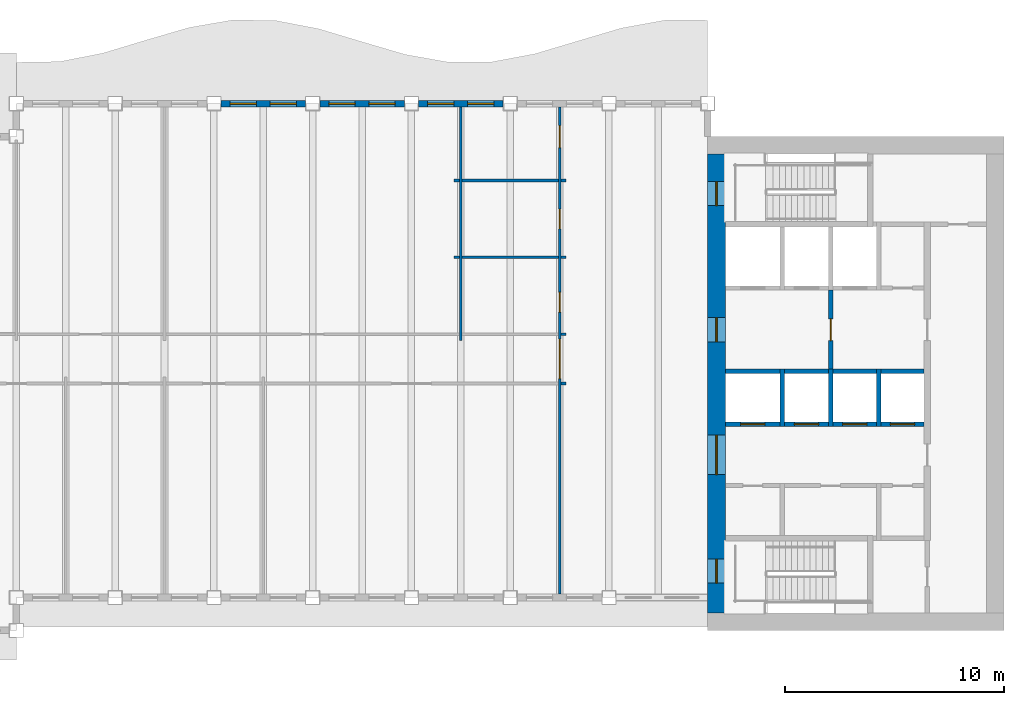
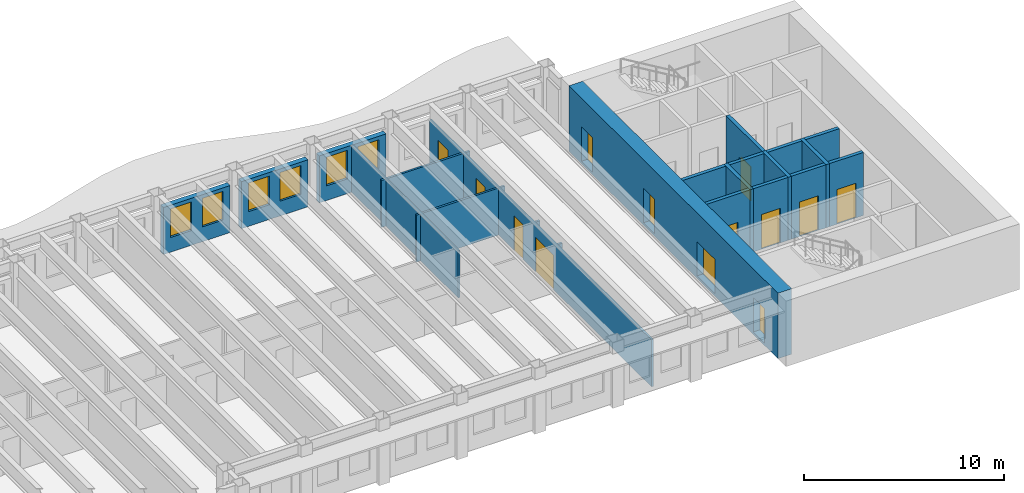
# One storey, part 5 of 12: 26 walls, 13 doors, 6 windows, 19 openings.
"""IFC4 building model written with IfcOpenShell, lengths in metres."""

from ifc_helpers import new_model, si_unit, direction, frame, frame_2d, origin, place, context, subcontext, project, spatial, rectangle, extrude, material, layer, layer_set, type_object, element, fill, save


model = new_model("IFC4")

# Units and contexts
model_context = context("Model", 3, precision=1e-05, world=origin(), true_north=direction((0.0, 1.0)))
body_context = subcontext(model_context, "Body", "Model", "MODEL_VIEW")
ifc_project = project(units=[si_unit("LENGTHUNIT", "METRE"), si_unit("AREAUNIT", "SQUARE_METRE"), si_unit("VOLUMEUNIT", "CUBIC_METRE"), si_unit("PLANEANGLEUNIT", "RADIAN"), si_unit("MASSUNIT", "GRAM", prefix="KILO")], contexts=[model_context])

# Site, building, storey
site_placement = place(None, origin())
site = spatial("IfcSite", under=ifc_project, at=site_placement, CompositionType="ELEMENT")
building_placement = place(site_placement, origin())
building = spatial("IfcBuilding", under=site, at=building_placement, Name="Sennacour Bend Tower", CompositionType="ELEMENT")
storey_placement = place(building_placement, frame((0.0, 0.0, 265.0)))
storey = spatial("IfcBuildingStorey", under=building, at=storey_placement, Name="L61", CompositionType="ELEMENT", Elevation=265.0)

# Wall, openings, doors
ifc_material_1 = material(Name="Concrete C50/60", Category="concrete")
ifc_layer_1 = layer(ifc_material_1, 0.800048828125, Name="Concrete C50/60", Category="concrete")
ifc_layer_set_1 = layer_set([ifc_layer_1], Name="Concrete C50/60")
wall_type_1 = type_object("IfcWallType", Name="Core wall 800 C50/60", PredefinedType="SHEAR", material=ifc_layer_set_1)
wall_1_placement = place(storey_placement, frame((54.39990234375, 0.800048828125, -0.14990234375), z_axis=(0.0, 0.0, 1.0), x_axis=(0.0, 1.0, 0.0)))
wall_1 = element("IfcWall", 1, at=wall_1_placement, inside=storey, type_object=wall_type_1, Name="Core A wall L61 W", PredefinedType="SHEAR", context=body_context, shape_type="SweptSolid", body=[
    extrude(rectangle(XDim=20.89990234375, YDim=0.800048828125, at=frame_2d((10.449951171875, 0.0))), origin(), (0.0, 0.0, 1.0), 4.0),
])
opening_1_placement = place(wall_1_placement, frame((6.300048828125, 0.0, 0.14990234375)))
opening_1 = element("IfcOpeningElement", 2, at=opening_1_placement, cuts=wall_1, Name="Opening CD", PredefinedType="OPENING", context=body_context, shape_type="SweptSolid", body=[
    extrude(rectangle(XDim=1.800048828125, YDim=2.10009765625, at=frame_2d((0.89990234375, 1.050048828125))), frame((0.0, 0.41015625, 0.0), z_axis=(0.0, -1.0, 0.0), x_axis=(1.0, 0.0, 0.0)), (0.0, 0.0, 1.0), 0.820068359375),
])
opening_2_placement = place(wall_1_placement, frame((12.35009765625, 0.0, 0.14990234375)))
opening_2 = element("IfcOpeningElement", 3, at=opening_2_placement, cuts=wall_1, Name="Opening FD", PredefinedType="OPENING", context=body_context, shape_type="SweptSolid", body=[
    extrude(rectangle(XDim=1.10009765625, YDim=2.10009765625, at=frame_2d((0.550048828125, 1.050048828125))), frame((0.0, 0.41015625, 0.0), z_axis=(0.0, -1.0, 0.0), x_axis=(1.0, 0.0, 0.0)), (0.0, 0.0, 1.0), 0.820068359375),
])
opening_3_placement = place(wall_1_placement, frame((1.35009765625, 0.0, 0.14990234375)))
opening_3 = element("IfcOpeningElement", 4, at=opening_3_placement, cuts=wall_1, Name="Opening SD", PredefinedType="OPENING", context=body_context, shape_type="SweptSolid", body=[
    extrude(rectangle(XDim=1.10009765625, YDim=2.10009765625, at=frame_2d((0.550048828125, 1.050048828125))), frame((0.0, 0.41015625, 0.0), z_axis=(0.0, -1.0, 0.0), x_axis=(1.0, 0.0, 0.0)), (0.0, 0.0, 1.0), 0.820068359375),
])
opening_4_placement = place(wall_1_placement, frame((18.550048828125, 0.0, 0.14990234375)))
opening_4 = element("IfcOpeningElement", 5, at=opening_4_placement, cuts=wall_1, Name="Opening SD", PredefinedType="OPENING", context=body_context, shape_type="SweptSolid", body=[
    extrude(rectangle(XDim=1.10009765625, YDim=2.10009765625, at=frame_2d((0.550048828125, 1.050048828125))), frame((0.0, 0.41015625, 0.0), z_axis=(0.0, -1.0, 0.0), x_axis=(1.0, 0.0, 0.0)), (0.0, 0.0, 1.0), 0.820068359375),
])
ifc_material_2 = material(Name="Painted steel", Category="steel")
door_type_1 = type_object("IfcDoorType", Name="DR-FFL-1100", OperationType="NOTDEFINED", PredefinedType="DOOR", material=ifc_material_2)
door_1_placement = place(opening_2_placement, origin())
door_1 = element("IfcDoor", 6, at=door_1_placement, inside=storey, type_object=door_type_1, Name="Door", OperationType="SINGLE_SWING_RIGHT", OverallHeight=2.10009765625, OverallWidth=1.10009765625, PredefinedType="DOOR", context=body_context, shape_type="SweptSolid", body=[
    extrude(rectangle(XDim=1.10009765625, YDim=2.10009765625, at=frame_2d((0.550048828125, 1.050048828125))), frame((0.0, 0.02490234375, 0.0), z_axis=(0.0, -1.0, 0.0), x_axis=(1.0, 0.0, 0.0)), (0.0, 0.0, 1.0), 0.050048828125),
])
fill(opening_2, door_1)
door_type_2 = type_object("IfcDoorType", Name="DR-LOBBY-1800", OperationType="NOTDEFINED", PredefinedType="DOOR", material=ifc_material_2)
door_2_placement = place(opening_1_placement, origin())
door_2 = element("IfcDoor", 7, at=door_2_placement, inside=storey, type_object=door_type_2, Name="Door", OperationType="DOUBLE_DOOR_SINGLE_SWING", OverallHeight=2.10009765625, OverallWidth=1.800048828125, PredefinedType="DOOR", context=body_context, shape_type="SweptSolid", body=[
    extrude(rectangle(XDim=1.800048828125, YDim=2.10009765625, at=frame_2d((0.89990234375, 1.050048828125))), frame((0.0, 0.02490234375, 0.0), z_axis=(0.0, -1.0, 0.0), x_axis=(1.0, 0.0, 0.0)), (0.0, 0.0, 1.0), 0.050048828125),
])
fill(opening_1, door_2)
door_type_3 = type_object("IfcDoorType", Name="DR-STAIR-1100", OperationType="NOTDEFINED", PredefinedType="DOOR", material=ifc_material_2)
door_3_placement = place(opening_3_placement, origin())
door_3 = element("IfcDoor", 8, at=door_3_placement, inside=storey, type_object=door_type_3, Name="Door", OperationType="SINGLE_SWING_LEFT", OverallHeight=2.10009765625, OverallWidth=1.10009765625, PredefinedType="DOOR", context=body_context, shape_type="SweptSolid", body=[
    extrude(rectangle(XDim=1.10009765625, YDim=2.10009765625, at=frame_2d((0.550048828125, 1.050048828125))), frame((0.0, 0.02490234375, 0.0), z_axis=(0.0, -1.0, 0.0), x_axis=(1.0, 0.0, 0.0)), (0.0, 0.0, 1.0), 0.050048828125),
])
fill(opening_3, door_3)
door_4_placement = place(opening_4_placement, origin())
door_4 = element("IfcDoor", 9, at=door_4_placement, inside=storey, type_object=door_type_3, Name="Door", OperationType="SINGLE_SWING_RIGHT", OverallHeight=2.10009765625, OverallWidth=1.10009765625, PredefinedType="DOOR", context=body_context, shape_type="SweptSolid", body=[
    extrude(rectangle(XDim=1.10009765625, YDim=2.10009765625, at=frame_2d((0.550048828125, 1.050048828125))), frame((0.0, 0.02490234375, 0.0), z_axis=(0.0, -1.0, 0.0), x_axis=(1.0, 0.0, 0.0)), (0.0, 0.0, 1.0), 0.050048828125),
])
fill(opening_4, door_4)

# Walls
ifc_material_3 = material(Name="Plasterboard partition on steel studs", Category="steel")
ifc_layer_2 = layer(ifc_material_3, 0.1201171875, Name="Plasterboard partition on steel studs", Category="steel")
ifc_layer_set_2 = layer_set([ifc_layer_2], Name="Plasterboard partition on steel studs")
wall_type_2 = type_object("IfcWallType", Name="Partition 120", PredefinedType="PARTITIONING", material=ifc_layer_set_2)
wall_2_placement = place(storey_placement, frame((42.75, 13.199951171875, 0.0), z_axis=(0.0, 0.0, 1.0), x_axis=(0.0, 1.0, 0.0)))
element("IfcWall", 10, at=wall_2_placement, inside=storey, type_object=wall_type_2, Name="P-L61-W013a", PredefinedType="PARTITIONING", context=body_context, shape_type="SweptSolid", body=[
    extrude(rectangle(XDim=10.650146484375, YDim=0.1201171875, at=frame_2d((5.3251953125, 0.0))), origin(), (0.0, 0.0, 1.0), 2.8701171875),
])
for number, where, z_axis, x_axis, name in (
    (11, (47.31005859375, 11.25, 0.0), (0.0, 0.0, 1.0), (1.0, 0.0, 0.0), "P-L61-W039ag"),
    (12, (47.31005859375, 13.5, 0.0), (0.0, 0.0, 1.0), (1.0, 0.0, 0.0), "P-L61-W041ag"),
    (13, (42.449951171875, 17.0, 0.0), (0.0, 0.0, 1.0), (1.0, 0.0, 0.0), "P-L61-W044aa"),
):
    element("IfcWall", number, at=place(storey_placement, frame(where, z_axis=z_axis, x_axis=x_axis)), inside=storey, type_object=wall_type_2, Name=name, PredefinedType="PARTITIONING", context=body_context, shape_type="SweptSolid", body=[
        extrude(rectangle(XDim=0.239990234375, YDim=0.1201171875, at=frame_2d((0.1201171875, 0.0))), origin(), (0.0, 0.0, 1.0), 2.8701171875),
    ])
wall_3_placement = place(storey_placement, frame((42.81005859375, 17.0, 0.0), z_axis=(0.0, 0.0, 1.0), x_axis=(1.0, 0.0, 0.0)))
element("IfcWall", 14, at=wall_3_placement, inside=storey, type_object=wall_type_2, Name="P-L61-W044ab", PredefinedType="PARTITIONING", context=body_context, shape_type="SweptSolid", body=[
    extrude(rectangle(XDim=4.3798828125, YDim=0.1201171875, at=frame_2d((2.18994140625, 0.0))), origin(), (0.0, 0.0, 1.0), 2.8701171875),
])
for number, where, z_axis, x_axis, name in (
    (15, (47.31005859375, 17.0, 0.0), (0.0, 0.0, 1.0), (1.0, 0.0, 0.0), "P-L61-W044ac"),
    (16, (42.449951171875, 20.5, 0.0), (0.0, 0.0, 1.0), (1.0, 0.0, 0.0), "P-L61-W048aa"),
):
    element("IfcWall", number, at=place(storey_placement, frame(where, z_axis=z_axis, x_axis=x_axis)), inside=storey, type_object=wall_type_2, Name=name, PredefinedType="PARTITIONING", context=body_context, shape_type="SweptSolid", body=[
        extrude(rectangle(XDim=0.239990234375, YDim=0.1201171875, at=frame_2d((0.1201171875, 0.0))), origin(), (0.0, 0.0, 1.0), 2.8701171875),
    ])
wall_4_placement = place(storey_placement, frame((42.81005859375, 20.5, 0.0), z_axis=(0.0, 0.0, 1.0), x_axis=(1.0, 0.0, 0.0)))
element("IfcWall", 17, at=wall_4_placement, inside=storey, type_object=wall_type_2, Name="P-L61-W048ab", PredefinedType="PARTITIONING", context=body_context, shape_type="SweptSolid", body=[
    extrude(rectangle(XDim=4.3798828125, YDim=0.1201171875, at=frame_2d((2.18994140625, 0.0))), origin(), (0.0, 0.0, 1.0), 2.8701171875),
])
wall_5_placement = place(storey_placement, frame((47.31005859375, 20.5, 0.0), z_axis=(0.0, 0.0, 1.0), x_axis=(1.0, 0.0, 0.0)))
element("IfcWall", 18, at=wall_5_placement, inside=storey, type_object=wall_type_2, Name="P-L61-W048ac", PredefinedType="PARTITIONING", context=body_context, shape_type="SweptSolid", body=[
    extrude(rectangle(XDim=0.239990234375, YDim=0.1201171875, at=frame_2d((0.1201171875, 0.0))), origin(), (0.0, 0.0, 1.0), 2.8701171875),
])

# Wall, openings, doors
ifc_layer_3 = layer(ifc_material_3, 0.1201171875, Name="Plasterboard partition on steel studs", Category="steel")
ifc_layer_set_3 = layer_set([ifc_layer_3], Name="Plasterboard partition on steel studs")
wall_type_3 = type_object("IfcWallType", Name="Partition 120 EI 30", PredefinedType="PARTITIONING", material=ifc_layer_set_3)
wall_6_placement = place(storey_placement, frame((47.25, 1.64990234375, 0.0), z_axis=(0.0, 0.0, 1.0), x_axis=(0.0, 1.0, 0.0)))
wall_6 = element("IfcWall", 19, at=wall_6_placement, inside=storey, type_object=wall_type_3, Name="P-L61-W014a", PredefinedType="PARTITIONING", context=body_context, shape_type="SweptSolid", body=[
    extrude(rectangle(XDim=22.2001953125, YDim=0.1201171875, at=frame_2d((11.10009765625, 0.0))), origin(), (0.0, 0.0, 1.0), 2.8701171875),
])
opening_5_placement = place(wall_6_placement, frame((9.8251953125, 0.0, 0.0)))
opening_5 = element("IfcOpeningElement", 20, at=opening_5_placement, cuts=wall_6, Name="Opening KD3", PredefinedType="OPENING", context=body_context, shape_type="SweptSolid", body=[
    extrude(rectangle(XDim=1.800048828125, YDim=2.10009765625, at=frame_2d((0.89990234375, 1.050048828125))), frame((0.0, 0.070068359375, 0.0), z_axis=(0.0, -1.0, 0.0), x_axis=(1.0, 0.0, 0.0)), (0.0, 0.0, 1.0), 0.14013671875),
])
opening_6_placement = place(wall_6_placement, frame((12.85009765625, 0.0, 0.0)))
opening_6 = element("IfcOpeningElement", 21, at=opening_6_placement, cuts=wall_6, Name="Opening WD", PredefinedType="OPENING", context=body_context, shape_type="SweptSolid", body=[
    extrude(rectangle(XDim=0.89990234375, YDim=2.10009765625, at=frame_2d((0.449951171875, 1.050048828125))), frame((0.0, 0.070068359375, 0.0), z_axis=(0.0, -1.0, 0.0), x_axis=(1.0, 0.0, 0.0)), (0.0, 0.0, 1.0), 0.14013671875),
])
opening_7_placement = place(wall_6_placement, frame((16.650146484375, 0.0, 0.0)))
opening_7 = element("IfcOpeningElement", 22, at=opening_7_placement, cuts=wall_6, Name="Opening WD", PredefinedType="OPENING", context=body_context, shape_type="SweptSolid", body=[
    extrude(rectangle(XDim=0.89990234375, YDim=2.10009765625, at=frame_2d((0.449951171875, 1.050048828125))), frame((0.0, 0.070068359375, 0.0), z_axis=(0.0, -1.0, 0.0), x_axis=(1.0, 0.0, 0.0)), (0.0, 0.0, 1.0), 0.14013671875),
])
opening_8_placement = place(wall_6_placement, frame((20.35009765625, 0.0, 0.0)))
opening_8 = element("IfcOpeningElement", 23, at=opening_8_placement, cuts=wall_6, Name="Opening AD", PredefinedType="OPENING", context=body_context, shape_type="SweptSolid", body=[
    extrude(rectangle(XDim=1.0, YDim=2.10009765625, at=frame_2d((0.5, 1.050048828125))), frame((0.0, 0.070068359375, 0.0), z_axis=(0.0, -1.0, 0.0), x_axis=(1.0, 0.0, 0.0)), (0.0, 0.0, 1.0), 0.14013671875),
])
ifc_material_4 = material(Name="Timber", Category="wood")
door_type_4 = type_object("IfcDoorType", Name="DR-ACC-WC-1000", OperationType="NOTDEFINED", PredefinedType="DOOR", material=ifc_material_4)
door_5_placement = place(opening_8_placement, origin())
door_5 = element("IfcDoor", 24, at=door_5_placement, inside=storey, type_object=door_type_4, Name="Door", OperationType="SINGLE_SWING_RIGHT", OverallHeight=2.10009765625, OverallWidth=1.0, PredefinedType="DOOR", context=body_context, shape_type="SweptSolid", body=[
    extrude(rectangle(XDim=1.0, YDim=2.10009765625, at=frame_2d((0.5, 1.050048828125))), frame((0.0, 0.02490234375, 0.0), z_axis=(0.0, -1.0, 0.0), x_axis=(1.0, 0.0, 0.0)), (0.0, 0.0, 1.0), 0.050048828125),
])
fill(opening_8, door_5)
door_type_5 = type_object("IfcDoorType", Name="DR-CORRIDOR-1800", OperationType="NOTDEFINED", PredefinedType="DOOR", material=ifc_material_2)
door_6_placement = place(opening_5_placement, origin())
door_6 = element("IfcDoor", 25, at=door_6_placement, inside=storey, type_object=door_type_5, Name="Door", OperationType="DOUBLE_DOOR_SINGLE_SWING", OverallHeight=2.10009765625, OverallWidth=1.800048828125, PredefinedType="DOOR", context=body_context, shape_type="SweptSolid", body=[
    extrude(rectangle(XDim=1.800048828125, YDim=2.10009765625, at=frame_2d((0.89990234375, 1.050048828125))), frame((0.0, 0.02490234375, 0.0), z_axis=(0.0, -1.0, 0.0), x_axis=(1.0, 0.0, 0.0)), (0.0, 0.0, 1.0), 0.050048828125),
])
fill(opening_5, door_6)
door_type_6 = type_object("IfcDoorType", Name="DR-WC-900", OperationType="NOTDEFINED", PredefinedType="DOOR", material=ifc_material_4)
door_7_placement = place(opening_6_placement, origin())
door_7 = element("IfcDoor", 26, at=door_7_placement, inside=storey, type_object=door_type_6, Name="Door", OperationType="SINGLE_SWING_RIGHT", OverallHeight=2.10009765625, OverallWidth=0.89990234375, PredefinedType="DOOR", context=body_context, shape_type="SweptSolid", body=[
    extrude(rectangle(XDim=0.89990234375, YDim=2.10009765625, at=frame_2d((0.449951171875, 1.050048828125))), frame((0.0, 0.02490234375, 0.0), z_axis=(0.0, -1.0, 0.0), x_axis=(1.0, 0.0, 0.0)), (0.0, 0.0, 1.0), 0.050048828125),
])
fill(opening_6, door_7)
door_8_placement = place(opening_7_placement, origin())
door_8 = element("IfcDoor", 27, at=door_8_placement, inside=storey, type_object=door_type_6, Name="Door", OperationType="SINGLE_SWING_RIGHT", OverallHeight=2.10009765625, OverallWidth=0.89990234375, PredefinedType="DOOR", context=body_context, shape_type="SweptSolid", body=[
    extrude(rectangle(XDim=0.89990234375, YDim=2.10009765625, at=frame_2d((0.449951171875, 1.050048828125))), frame((0.0, 0.02490234375, 0.0), z_axis=(0.0, -1.0, 0.0), x_axis=(1.0, 0.0, 0.0)), (0.0, 0.0, 1.0), 0.050048828125),
])
fill(opening_7, door_8)

# Wall, opening, door
ifc_material_5 = material(Name="Fire-rated plasterboard partition on steel studs", Category="steel")
ifc_layer_4 = layer(ifc_material_5, 0.199951171875, Name="Fire-rated plasterboard partition on steel studs", Category="steel")
ifc_layer_set_4 = layer_set([ifc_layer_4], Name="Fire-rated plasterboard partition on steel studs")
wall_type_4 = type_object("IfcWallType", Name="Rated partition 200 EI 90", PredefinedType="PARTITIONING", material=ifc_layer_set_4)
wall_7_placement = place(storey_placement, frame((59.60009765625, 11.89990234375, 0.0), z_axis=(0.0, 0.0, 1.0), x_axis=(0.0, 1.0, 0.0)))
wall_7 = element("IfcWall", 28, at=wall_7_placement, inside=storey, type_object=wall_type_4, Name="P-L61-W020", PredefinedType="PARTITIONING", context=body_context, shape_type="SweptSolid", body=[
    extrude(rectangle(XDim=3.60009765625, YDim=0.199951171875, at=frame_2d((1.800048828125, 0.0))), origin(), (0.0, 0.0, 1.0), 3.85009765625),
])
opening_9_placement = place(wall_7_placement, frame((1.300048828125, 0.0, 0.0)))
opening_9 = element("IfcOpeningElement", 29, at=opening_9_placement, cuts=wall_7, Name="Opening FD2", PredefinedType="OPENING", context=body_context, shape_type="SweptSolid", body=[
    extrude(rectangle(XDim=1.0, YDim=2.10009765625, at=frame_2d((0.5, 1.050048828125))), frame((0.0, 0.10986328125, 0.0), z_axis=(0.0, -1.0, 0.0), x_axis=(1.0, 0.0, 0.0)), (0.0, 0.0, 1.0), 0.219970703125),
])
door_type_7 = type_object("IfcDoorType", Name="DR-FFL-1000", OperationType="NOTDEFINED", PredefinedType="DOOR", material=ifc_material_2)
door_9_placement = place(opening_9_placement, origin())
door_9 = element("IfcDoor", 30, at=door_9_placement, inside=storey, type_object=door_type_7, Name="Door", OperationType="SINGLE_SWING_LEFT", OverallHeight=2.10009765625, OverallWidth=1.0, PredefinedType="DOOR", context=body_context, shape_type="SweptSolid", body=[
    extrude(rectangle(XDim=1.0, YDim=2.10009765625, at=frame_2d((0.5, 1.050048828125))), frame((0.0, 0.02490234375, 0.0), z_axis=(0.0, -1.0, 0.0), x_axis=(1.0, 0.0, 0.0)), (0.0, 0.0, 1.0), 0.050048828125),
])
fill(opening_9, door_9)

# Wall, openings, windows
ifc_material_6 = material(Name="Warm limestone cladding", Category="masonry")
ifc_layer_5 = layer(ifc_material_6, 0.050048828125, Name="Warm limestone cladding", Category="masonry")
ifc_material_7 = material(Name="Precast concrete C40/50", Category="concrete")
ifc_layer_6 = layer(ifc_material_7, 0.25, Name="Precast concrete C40/50", Category="concrete")
ifc_layer_set_5 = layer_set([ifc_layer_5, ifc_layer_6], Name="Precast concrete C40/50 with limestone cladding")
wall_type_5 = type_object("IfcWallType", Name="STONE-CLAD PRECAST SPANDREL 300", PredefinedType="STANDARD", material=ifc_layer_set_5)
wall_8_placement = place(storey_placement, frame((44.675048828125, 24.0, 0.0), z_axis=(0.0, 0.0, 1.0), x_axis=(-1.0, 0.0, 0.0)))
wall_8 = element("IfcWall", 31, at=wall_8_placement, inside=storey, type_object=wall_type_5, Name="Stone spandrel and pier wall L61 07.02", PredefinedType="STANDARD", context=body_context, shape_type="SweptSolid", body=[
    extrude(rectangle(XDim=3.85009765625, YDim=0.300048828125, at=frame_2d((1.925048828125, 0.0))), origin(), (0.0, 0.0, 1.0), 2.8701171875),
])
opening_10_placement = place(wall_8_placement, frame((0.41259765625, 0.0, 0.89990234375)))
opening_10 = element("IfcOpeningElement", 32, at=opening_10_placement, cuts=wall_8, Name="Opening W16", PredefinedType="OPENING", context=body_context, shape_type="SweptSolid", body=[
    extrude(rectangle(XDim=1.199951171875, YDim=1.75, at=frame_2d((0.60009765625, 0.875))), frame((0.0, 0.16015625, 0.0), z_axis=(0.0, -1.0, 0.0), x_axis=(1.0, 0.0, 0.0)), (0.0, 0.0, 1.0), 0.320068359375),
])
opening_11_placement = place(wall_8_placement, frame((2.237548828125, 0.0, 0.89990234375)))
opening_11 = element("IfcOpeningElement", 33, at=opening_11_placement, cuts=wall_8, Name="Opening W16", PredefinedType="OPENING", context=body_context, shape_type="SweptSolid", body=[
    extrude(rectangle(XDim=1.199951171875, YDim=1.75, at=frame_2d((0.60009765625, 0.875))), frame((0.0, 0.16015625, 0.0), z_axis=(0.0, -1.0, 0.0), x_axis=(1.0, 0.0, 0.0)), (0.0, 0.0, 1.0), 0.320068359375),
])
ifc_material_8 = material(Name="Clear low-emissivity glass", Category="glass")
window_type = type_object("IfcWindowType", Name="WIN-RIBBON-1200x1750", PartitioningType="SINGLE_PANEL", PredefinedType="WINDOW", material=ifc_material_8)
window_1_placement = place(opening_10_placement, origin())
window_1 = element("IfcWindow", 34, at=window_1_placement, inside=storey, type_object=window_type, Name="Ribbon window L61 07.02.0", OverallHeight=1.75, OverallWidth=1.199951171875, PartitioningType="SINGLE_PANEL", PredefinedType="WINDOW", context=body_context, shape_type="SweptSolid", body=[
    extrude(rectangle(XDim=1.199951171875, YDim=1.75, at=frame_2d((0.60009765625, 0.875))), frame((0.0, 0.030029296875, 0.0), z_axis=(0.0, -1.0, 0.0), x_axis=(1.0, 0.0, 0.0)), (0.0, 0.0, 1.0), 0.06005859375),
])
fill(opening_10, window_1)
window_2_placement = place(opening_11_placement, origin())
window_2 = element("IfcWindow", 35, at=window_2_placement, inside=storey, type_object=window_type, Name="Ribbon window L61 07.02.1", OverallHeight=1.75, OverallWidth=1.199951171875, PartitioningType="SINGLE_PANEL", PredefinedType="WINDOW", context=body_context, shape_type="SweptSolid", body=[
    extrude(rectangle(XDim=1.199951171875, YDim=1.75, at=frame_2d((0.60009765625, 0.875))), frame((0.0, 0.030029296875, 0.0), z_axis=(0.0, -1.0, 0.0), x_axis=(1.0, 0.0, 0.0)), (0.0, 0.0, 1.0), 0.06005859375),
])
fill(opening_11, window_2)

wall_9_placement = place(storey_placement, frame((40.175048828125, 24.0, 0.0), z_axis=(0.0, 0.0, 1.0), x_axis=(-1.0, 0.0, 0.0)))
wall_9 = element("IfcWall", 36, at=wall_9_placement, inside=storey, type_object=wall_type_5, Name="Stone spandrel and pier wall L61 07.03", PredefinedType="STANDARD", context=body_context, shape_type="SweptSolid", body=[
    extrude(rectangle(XDim=3.85009765625, YDim=0.300048828125, at=frame_2d((1.925048828125, 0.0))), origin(), (0.0, 0.0, 1.0), 2.8701171875),
])
opening_12_placement = place(wall_9_placement, frame((0.41259765625, 0.0, 0.89990234375)))
opening_12 = element("IfcOpeningElement", 37, at=opening_12_placement, cuts=wall_9, Name="Opening W16", PredefinedType="OPENING", context=body_context, shape_type="SweptSolid", body=[
    extrude(rectangle(XDim=1.199951171875, YDim=1.75, at=frame_2d((0.60009765625, 0.875))), frame((0.0, 0.16015625, 0.0), z_axis=(0.0, -1.0, 0.0), x_axis=(1.0, 0.0, 0.0)), (0.0, 0.0, 1.0), 0.320068359375),
])
opening_13_placement = place(wall_9_placement, frame((2.237548828125, 0.0, 0.89990234375)))
opening_13 = element("IfcOpeningElement", 38, at=opening_13_placement, cuts=wall_9, Name="Opening W16", PredefinedType="OPENING", context=body_context, shape_type="SweptSolid", body=[
    extrude(rectangle(XDim=1.199951171875, YDim=1.75, at=frame_2d((0.60009765625, 0.875))), frame((0.0, 0.16015625, 0.0), z_axis=(0.0, -1.0, 0.0), x_axis=(1.0, 0.0, 0.0)), (0.0, 0.0, 1.0), 0.320068359375),
])
window_3_placement = place(opening_12_placement, origin())
window_3 = element("IfcWindow", 39, at=window_3_placement, inside=storey, type_object=window_type, Name="Ribbon window L61 07.03.0", OverallHeight=1.75, OverallWidth=1.199951171875, PartitioningType="SINGLE_PANEL", PredefinedType="WINDOW", context=body_context, shape_type="SweptSolid", body=[
    extrude(rectangle(XDim=1.199951171875, YDim=1.75, at=frame_2d((0.60009765625, 0.875))), frame((0.0, 0.030029296875, 0.0), z_axis=(0.0, -1.0, 0.0), x_axis=(1.0, 0.0, 0.0)), (0.0, 0.0, 1.0), 0.06005859375),
])
fill(opening_12, window_3)
window_4_placement = place(opening_13_placement, origin())
window_4 = element("IfcWindow", 40, at=window_4_placement, inside=storey, type_object=window_type, Name="Ribbon window L61 07.03.1", OverallHeight=1.75, OverallWidth=1.199951171875, PartitioningType="SINGLE_PANEL", PredefinedType="WINDOW", context=body_context, shape_type="SweptSolid", body=[
    extrude(rectangle(XDim=1.199951171875, YDim=1.75, at=frame_2d((0.60009765625, 0.875))), frame((0.0, 0.030029296875, 0.0), z_axis=(0.0, -1.0, 0.0), x_axis=(1.0, 0.0, 0.0)), (0.0, 0.0, 1.0), 0.06005859375),
])
fill(opening_13, window_4)

wall_10_placement = place(storey_placement, frame((35.675048828125, 24.0, 0.0), z_axis=(0.0, 0.0, 1.0), x_axis=(-1.0, 0.0, 0.0)))
wall_10 = element("IfcWall", 41, at=wall_10_placement, inside=storey, type_object=wall_type_5, Name="Stone spandrel and pier wall L61 07.04", PredefinedType="STANDARD", context=body_context, shape_type="SweptSolid", body=[
    extrude(rectangle(XDim=3.85009765625, YDim=0.300048828125, at=frame_2d((1.925048828125, 0.0))), origin(), (0.0, 0.0, 1.0), 2.8701171875),
])
opening_14_placement = place(wall_10_placement, frame((0.41259765625, 0.0, 0.89990234375)))
opening_14 = element("IfcOpeningElement", 42, at=opening_14_placement, cuts=wall_10, Name="Opening W16", PredefinedType="OPENING", context=body_context, shape_type="SweptSolid", body=[
    extrude(rectangle(XDim=1.199951171875, YDim=1.75, at=frame_2d((0.60009765625, 0.875))), frame((0.0, 0.16015625, 0.0), z_axis=(0.0, -1.0, 0.0), x_axis=(1.0, 0.0, 0.0)), (0.0, 0.0, 1.0), 0.320068359375),
])
opening_15_placement = place(wall_10_placement, frame((2.237548828125, 0.0, 0.89990234375)))
opening_15 = element("IfcOpeningElement", 43, at=opening_15_placement, cuts=wall_10, Name="Opening W16", PredefinedType="OPENING", context=body_context, shape_type="SweptSolid", body=[
    extrude(rectangle(XDim=1.199951171875, YDim=1.75, at=frame_2d((0.60009765625, 0.875))), frame((0.0, 0.16015625, 0.0), z_axis=(0.0, -1.0, 0.0), x_axis=(1.0, 0.0, 0.0)), (0.0, 0.0, 1.0), 0.320068359375),
])
window_5_placement = place(opening_14_placement, origin())
window_5 = element("IfcWindow", 44, at=window_5_placement, inside=storey, type_object=window_type, Name="Ribbon window L61 07.04.0", OverallHeight=1.75, OverallWidth=1.199951171875, PartitioningType="SINGLE_PANEL", PredefinedType="WINDOW", context=body_context, shape_type="SweptSolid", body=[
    extrude(rectangle(XDim=1.199951171875, YDim=1.75, at=frame_2d((0.60009765625, 0.875))), frame((0.0, 0.030029296875, 0.0), z_axis=(0.0, -1.0, 0.0), x_axis=(1.0, 0.0, 0.0)), (0.0, 0.0, 1.0), 0.06005859375),
])
fill(opening_14, window_5)
window_6_placement = place(opening_15_placement, origin())
window_6 = element("IfcWindow", 45, at=window_6_placement, inside=storey, type_object=window_type, Name="Ribbon window L61 07.04.1", OverallHeight=1.75, OverallWidth=1.199951171875, PartitioningType="SINGLE_PANEL", PredefinedType="WINDOW", context=body_context, shape_type="SweptSolid", body=[
    extrude(rectangle(XDim=1.199951171875, YDim=1.75, at=frame_2d((0.60009765625, 0.875))), frame((0.0, 0.030029296875, 0.0), z_axis=(0.0, -1.0, 0.0), x_axis=(1.0, 0.0, 0.0)), (0.0, 0.0, 1.0), 0.06005859375),
])
fill(opening_15, window_6)

# Walls
ifc_layer_7 = layer(ifc_material_1, 0.199951171875, Name="Concrete C50/60", Category="concrete")
ifc_layer_set_6 = layer_set([ifc_layer_7], Name="Concrete C50/60")
wall_type_6 = type_object("IfcWallType", Name="Shaft wall 200", PredefinedType="SOLIDWALL", material=ifc_layer_set_6)
for number, where, z_axis, x_axis, name in (
    (46, (57.39990234375, 9.300048828125, 0.0), (0.0, 0.0, 1.0), (0.0, 1.0, 0.0), "P-L61-W017"),
    (47, (59.60009765625, 9.300048828125, 0.0), (0.0, 0.0, 1.0), (0.0, 1.0, 0.0), "P-L61-W019"),
    (48, (61.800048828125, 9.300048828125, 0.0), (0.0, 0.0, 1.0), (0.0, 1.0, 0.0), "P-L61-W025"),
):
    element("IfcWall", number, at=place(storey_placement, frame(where, z_axis=z_axis, x_axis=x_axis)), inside=storey, type_object=wall_type_6, Name=name, PredefinedType="SOLIDWALL", context=body_context, shape_type="SweptSolid", body=[
        extrude(rectangle(XDim=2.599853515625, YDim=0.199951171875, at=frame_2d((1.2998046875, 0.0))), origin(), (0.0, 0.0, 1.0), 3.85009765625),
    ])

# Wall, opening, door
wall_11_placement = place(storey_placement, frame((54.800048828125, 9.39990234375, 0.0), z_axis=(0.0, 0.0, 1.0), x_axis=(1.0, 0.0, 0.0)))
wall_11 = element("IfcWall", 49, at=wall_11_placement, inside=storey, type_object=wall_type_6, Name="P-L61-W038a", PredefinedType="SOLIDWALL", context=body_context, shape_type="SweptSolid", body=[
    extrude(rectangle(XDim=2.5, YDim=0.199951171875, at=frame_2d((1.25, 0.0))), origin(), (0.0, 0.0, 1.0), 3.85009765625),
])
opening_16_placement = place(wall_11_placement, frame((0.699951171875, 0.0, 0.011962890625)))
opening_16 = element("IfcOpeningElement", 50, at=opening_16_placement, cuts=wall_11, Name="Opening LD", PredefinedType="OPENING", context=body_context, shape_type="SweptSolid", body=[
    extrude(rectangle(XDim=1.10009765625, YDim=2.10009765625, at=frame_2d((0.550048828125, 1.050048828125))), frame((0.0, 0.10986328125, 0.0), z_axis=(0.0, -1.0, 0.0), x_axis=(1.0, 0.0, 0.0)), (0.0, 0.0, 1.0), 0.219970703125),
])
ifc_material_9 = material(Name="Stainless steel", Category="steel")
door_type_8 = type_object("IfcDoorType", Name="DR-LANDING-1100", OperationType="NOTDEFINED", PredefinedType="DOOR", material=ifc_material_9)
door_10_placement = place(opening_16_placement, origin())
door_10 = element("IfcDoor", 51, at=door_10_placement, inside=storey, type_object=door_type_8, Name="Lift landing door HA1", OperationType="SLIDING_TO_LEFT", OverallHeight=2.10009765625, OverallWidth=1.10009765625, PredefinedType="DOOR", context=body_context, shape_type="SweptSolid", body=[
    extrude(rectangle(XDim=1.10009765625, YDim=2.10009765625, at=frame_2d((0.550048828125, 1.050048828125))), frame((0.0, 0.02490234375, 0.0), z_axis=(0.0, -1.0, 0.0), x_axis=(1.0, 0.0, 0.0)), (0.0, 0.0, 1.0), 0.050048828125),
])
fill(opening_16, door_10)

wall_12_placement = place(storey_placement, frame((57.5, 9.39990234375, 0.0), z_axis=(0.0, 0.0, 1.0), x_axis=(1.0, 0.0, 0.0)))
wall_12 = element("IfcWall", 52, at=wall_12_placement, inside=storey, type_object=wall_type_6, Name="P-L61-W038b", PredefinedType="SOLIDWALL", context=body_context, shape_type="SweptSolid", body=[
    extrude(rectangle(XDim=2.0, YDim=0.199951171875, at=frame_2d((1.0, 0.0))), origin(), (0.0, 0.0, 1.0), 3.85009765625),
])
opening_17_placement = place(wall_12_placement, frame((0.449951171875, 0.0, 0.011962890625)))
opening_17 = element("IfcOpeningElement", 53, at=opening_17_placement, cuts=wall_12, Name="Opening LD", PredefinedType="OPENING", context=body_context, shape_type="SweptSolid", body=[
    extrude(rectangle(XDim=1.10009765625, YDim=2.10009765625, at=frame_2d((0.550048828125, 1.050048828125))), frame((0.0, 0.10986328125, 0.0), z_axis=(0.0, -1.0, 0.0), x_axis=(1.0, 0.0, 0.0)), (0.0, 0.0, 1.0), 0.219970703125),
])
door_11_placement = place(opening_17_placement, origin())
door_11 = element("IfcDoor", 54, at=door_11_placement, inside=storey, type_object=door_type_8, Name="Lift landing door HA2", OperationType="SLIDING_TO_RIGHT", OverallHeight=2.10009765625, OverallWidth=1.10009765625, PredefinedType="DOOR", context=body_context, shape_type="SweptSolid", body=[
    extrude(rectangle(XDim=1.10009765625, YDim=2.10009765625, at=frame_2d((0.550048828125, 1.050048828125))), frame((0.0, 0.02490234375, 0.0), z_axis=(0.0, -1.0, 0.0), x_axis=(1.0, 0.0, 0.0)), (0.0, 0.0, 1.0), 0.050048828125),
])
fill(opening_17, door_11)

wall_13_placement = place(storey_placement, frame((59.699951171875, 9.39990234375, 0.0), z_axis=(0.0, 0.0, 1.0), x_axis=(1.0, 0.0, 0.0)))
wall_13 = element("IfcWall", 55, at=wall_13_placement, inside=storey, type_object=wall_type_6, Name="P-L61-W038c", PredefinedType="SOLIDWALL", context=body_context, shape_type="SweptSolid", body=[
    extrude(rectangle(XDim=2.0, YDim=0.199951171875, at=frame_2d((1.0, 0.0))), origin(), (0.0, 0.0, 1.0), 3.85009765625),
])
opening_18_placement = place(wall_13_placement, frame((0.449951171875, 0.0, 0.011962890625)))
opening_18 = element("IfcOpeningElement", 56, at=opening_18_placement, cuts=wall_13, Name="Opening LD", PredefinedType="OPENING", context=body_context, shape_type="SweptSolid", body=[
    extrude(rectangle(XDim=1.10009765625, YDim=2.10009765625, at=frame_2d((0.550048828125, 1.050048828125))), frame((0.0, 0.10986328125, 0.0), z_axis=(0.0, -1.0, 0.0), x_axis=(1.0, 0.0, 0.0)), (0.0, 0.0, 1.0), 0.219970703125),
])
door_12_placement = place(opening_18_placement, origin())
door_12 = element("IfcDoor", 57, at=door_12_placement, inside=storey, type_object=door_type_8, Name="Lift landing door HA3", OperationType="SLIDING_TO_LEFT", OverallHeight=2.10009765625, OverallWidth=1.10009765625, PredefinedType="DOOR", context=body_context, shape_type="SweptSolid", body=[
    extrude(rectangle(XDim=1.10009765625, YDim=2.10009765625, at=frame_2d((0.550048828125, 1.050048828125))), frame((0.0, 0.02490234375, 0.0), z_axis=(0.0, -1.0, 0.0), x_axis=(1.0, 0.0, 0.0)), (0.0, 0.0, 1.0), 0.050048828125),
])
fill(opening_18, door_12)

wall_14_placement = place(storey_placement, frame((61.89990234375, 9.39990234375, 0.0), z_axis=(0.0, 0.0, 1.0), x_axis=(1.0, 0.0, 0.0)))
wall_14 = element("IfcWall", 58, at=wall_14_placement, inside=storey, type_object=wall_type_6, Name="P-L61-W038d", PredefinedType="SOLIDWALL", context=body_context, shape_type="SweptSolid", body=[
    extrude(rectangle(XDim=1.9501953125, YDim=0.199951171875, at=frame_2d((0.97509765625, 0.0))), origin(), (0.0, 0.0, 1.0), 3.85009765625),
])
opening_19_placement = place(wall_14_placement, frame((0.425048828125, 0.0, 0.011962890625)))
opening_19 = element("IfcOpeningElement", 59, at=opening_19_placement, cuts=wall_14, Name="Opening LD", PredefinedType="OPENING", context=body_context, shape_type="SweptSolid", body=[
    extrude(rectangle(XDim=1.10009765625, YDim=2.10009765625, at=frame_2d((0.550048828125, 1.050048828125))), frame((0.0, 0.10986328125, 0.0), z_axis=(0.0, -1.0, 0.0), x_axis=(1.0, 0.0, 0.0)), (0.0, 0.0, 1.0), 0.219970703125),
])
door_13_placement = place(opening_19_placement, origin())
door_13 = element("IfcDoor", 60, at=door_13_placement, inside=storey, type_object=door_type_8, Name="Lift landing door HA4", OperationType="SLIDING_TO_RIGHT", OverallHeight=2.10009765625, OverallWidth=1.10009765625, PredefinedType="DOOR", context=body_context, shape_type="SweptSolid", body=[
    extrude(rectangle(XDim=1.10009765625, YDim=2.10009765625, at=frame_2d((0.550048828125, 1.050048828125))), frame((0.0, 0.02490234375, 0.0), z_axis=(0.0, -1.0, 0.0), x_axis=(1.0, 0.0, 0.0)), (0.0, 0.0, 1.0), 0.050048828125),
])
fill(opening_19, door_13)

# Walls
wall_15_placement = place(storey_placement, frame((54.800048828125, 11.800048828125, 0.0), z_axis=(0.0, 0.0, 1.0), x_axis=(1.0, 0.0, 0.0)))
element("IfcWall", 61, at=wall_15_placement, inside=storey, type_object=wall_type_6, Name="P-L61-W040a", PredefinedType="SOLIDWALL", context=body_context, shape_type="SweptSolid", body=[
    extrude(rectangle(XDim=2.5, YDim=0.199951171875, at=frame_2d((1.25, 0.0))), origin(), (0.0, 0.0, 1.0), 3.85009765625),
])
for number, where, z_axis, x_axis, name in (
    (62, (57.5, 11.800048828125, 0.0), (0.0, 0.0, 1.0), (1.0, 0.0, 0.0), "P-L61-W040b"),
    (63, (59.699951171875, 11.800048828125, 0.0), (0.0, 0.0, 1.0), (1.0, 0.0, 0.0), "P-L61-W040c"),
):
    element("IfcWall", number, at=place(storey_placement, frame(where, z_axis=z_axis, x_axis=x_axis)), inside=storey, type_object=wall_type_6, Name=name, PredefinedType="SOLIDWALL", context=body_context, shape_type="SweptSolid", body=[
        extrude(rectangle(XDim=2.0, YDim=0.199951171875, at=frame_2d((1.0, 0.0))), origin(), (0.0, 0.0, 1.0), 3.85009765625),
    ])
wall_16_placement = place(storey_placement, frame((61.89990234375, 11.800048828125, 0.0), z_axis=(0.0, 0.0, 1.0), x_axis=(1.0, 0.0, 0.0)))
element("IfcWall", 64, at=wall_16_placement, inside=storey, type_object=wall_type_6, Name="P-L61-W040d", PredefinedType="SOLIDWALL", context=body_context, shape_type="SweptSolid", body=[
    extrude(rectangle(XDim=1.9501953125, YDim=0.199951171875, at=frame_2d((0.97509765625, 0.0))), origin(), (0.0, 0.0, 1.0), 3.85009765625),
])

save(model, "model.ifc")
